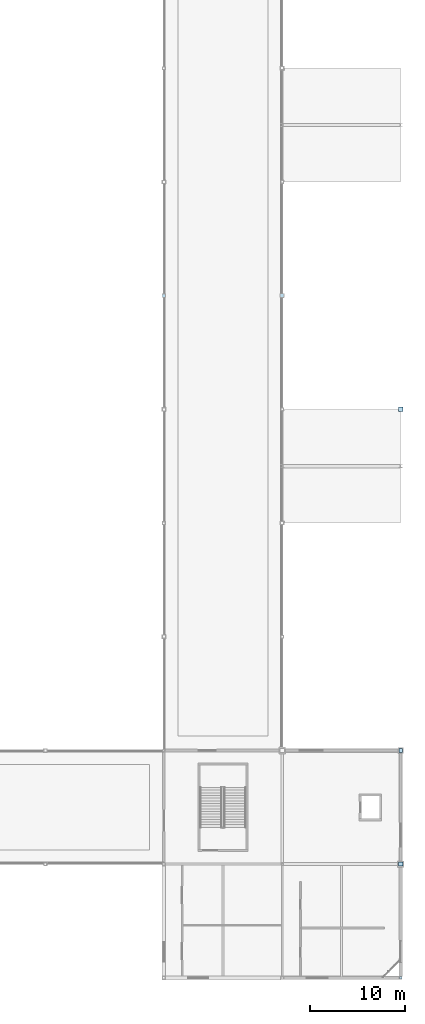
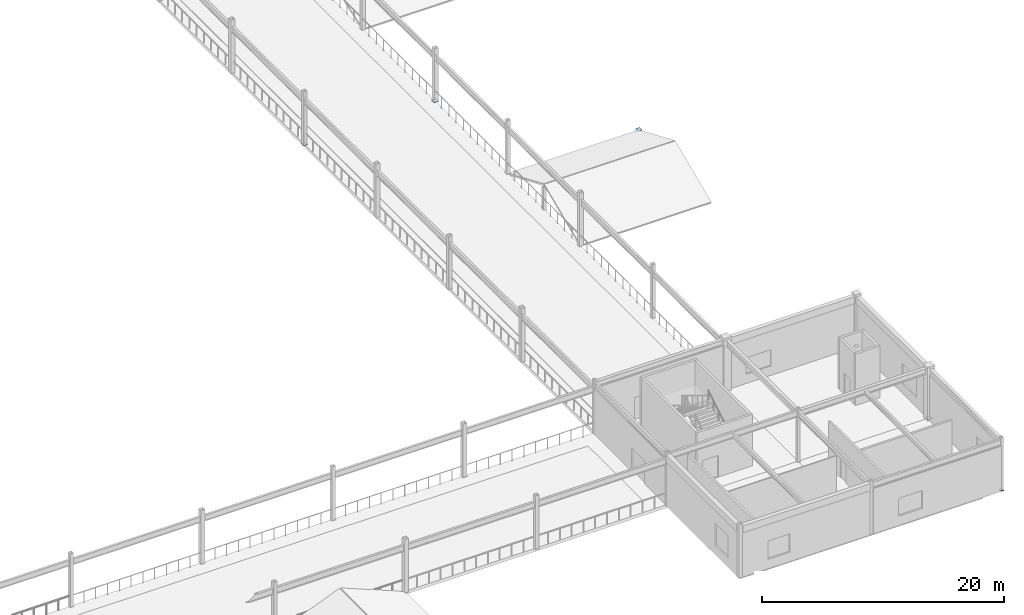
# One storey, part 67 of 105: 6 plates.
"""IFC4 building model written with IfcOpenShell, lengths in metres."""

import ifcopenshell
import ifcopenshell.guid

model = None  # the IFC model being written
_history = None  # IfcOwnerHistory: only IFC2X3 demands one
_inside = {}  # id of a spatial element -> (the spatial element, [elements in it])
_under = {}  # id of a project, library or spatial element -> (it, [spatial elements below it])
_declared = {}  # id of a project -> (the project, [libraries it declares])
_typed = {}  # id of a type object -> (the type object, [elements of that type])
_made_of = {}  # id of a material, layer set ... -> (it, [elements and type objects made of it])


def new_model(schema):
    """Start an empty IFC model of exactly this schema.

    Asked for "IFC4X3", IfcOpenShell would pick the latest addendum, in which some entities
    have other attributes; the version numbers below select the first issue.
    IFC2X3 requires an IfcOwnerHistory on every rooted entity: one is made here for all.
    """
    global model, _history
    if schema == "IFC4X3":
        model = ifcopenshell.file(schema_version=(4, 3, 0, 0))
    else:
        model = ifcopenshell.file(schema=schema)
    _inside.clear()
    _under.clear()
    _declared.clear()
    _typed.clear()
    _made_of.clear()
    _history = None
    if model.schema == "IFC2X3":
        org = make("IfcOrganization", Name="unknown")
        user = make(
            "IfcPersonAndOrganization",
            ThePerson=make("IfcPerson", FamilyName="unknown"),
            TheOrganization=org,
        )
        app = make(
            "IfcApplication",
            ApplicationDeveloper=org,
            Version="unknown",
            ApplicationFullName="unknown",
            ApplicationIdentifier="unknown",
        )
        _history = make(
            "IfcOwnerHistory",
            OwningUser=user,
            OwningApplication=app,
            ChangeAction="ADDED",
            CreationDate=0,
        )
    return model


def make(cls, **values):
    """One entity of the class cls with the attributes given. An attribute that is None is left unset."""
    return model.create_entity(
        cls, **{name: value for name, value in values.items() if value is not None}
    )


def rooted(cls, **values):
    """An entity with a GlobalId (a new one), such as an element, a storey or a relation."""
    return make(cls, GlobalId=ifcopenshell.guid.new(), OwnerHistory=_history, **values)


def si_unit(unit_type, name, prefix=None):
    """IfcSIUnit, for example si_unit("LENGTHUNIT", "METRE", prefix="MILLI")."""
    return make("IfcSIUnit", UnitType=unit_type, Prefix=prefix, Name=name)


def assignment(units):
    """IfcUnitAssignment: the units of a project."""
    return None if units is None else make("IfcUnitAssignment", Units=units)


def point(xyz):
    """IfcCartesianPoint."""
    return None if xyz is None else make("IfcCartesianPoint", Coordinates=xyz)


def direction(xyz):
    """IfcDirection."""
    return None if xyz is None else make("IfcDirection", DirectionRatios=xyz)


def frame(location, z_axis=None, x_axis=None):
    """IfcAxis2Placement3D, a coordinate frame: its origin and axes. An axis left out is left unset."""
    return make(
        "IfcAxis2Placement3D",
        Location=point(location),
        Axis=direction(z_axis),
        RefDirection=direction(x_axis),
    )


def frame_2d(location, x_axis=None):
    """IfcAxis2Placement2D, a coordinate frame in the plane: its origin and x axis."""
    return make(
        "IfcAxis2Placement2D", Location=point(location), RefDirection=direction(x_axis)
    )


def origin():
    """The frame at (0, 0, 0) with its axes left unset."""
    return frame((0.0, 0.0, 0.0))


def origin_2d():
    """The frame at (0, 0) in the plane with its x axis left unset."""
    return frame_2d((0.0, 0.0))


def place(relative_to, where):
    """IfcLocalPlacement: puts the frame where relative to a parent placement (None: the world)."""
    return make(
        "IfcLocalPlacement", PlacementRelTo=relative_to, RelativePlacement=where
    )


def context(
    kind, dimensions, precision=None, world=None, true_north=None, identifier=None
):
    """IfcGeometricRepresentationContext, for example the 3D "Model" context."""
    return make(
        "IfcGeometricRepresentationContext",
        ContextIdentifier=identifier,
        ContextType=kind,
        CoordinateSpaceDimension=dimensions,
        Precision=precision,
        WorldCoordinateSystem=world,
        TrueNorth=true_north,
    )


def subcontext(parent, identifier, kind, view, scale=None):
    """IfcGeometricRepresentationSubContext, for example "Body" below "Model"."""
    return make(
        "IfcGeometricRepresentationSubContext",
        ContextIdentifier=identifier,
        ContextType=kind,
        ParentContext=parent,
        TargetScale=scale,
        TargetView=view,
    )


def project(units=None, contexts=None):
    """IfcProject with its units and contexts."""
    return rooted(
        "IfcProject",
        Name="project",
        RepresentationContexts=contexts,
        UnitsInContext=assignment(units),
    )


def spatial(cls, under=None, at=None, **own):
    """A site, building, storey or space (cls), placed at a placement, below another one or the project."""
    s = rooted(cls, ObjectPlacement=at, **own)
    if under is not None:
        _under.setdefault(under.id(), (under, []))[1].append(s)
    return s


def profile(cls, at=None, kind="AREA", **sizes):
    """A parametric profile (cls). Its sizes go by their IFC names, for example OverallWidth=200.0."""
    return make(cls, ProfileType=kind, Position=at, **sizes)


def rectangle(**sizes):
    """IfcRectangleProfileDef."""
    return profile("IfcRectangleProfileDef", **sizes)


def extrude(swept, where, along, depth):
    """IfcExtrudedAreaSolid: the profile swept, set in the frame where, extruded along a direction by depth."""
    return make(
        "IfcExtrudedAreaSolid",
        SweptArea=swept,
        Position=where,
        ExtrudedDirection=direction(along),
        Depth=depth,
    )


def shape(context_of_items, identifier, shape_type, items):
    """IfcShapeRepresentation: the items that make up one representation, for example the "Body"."""
    return make(
        "IfcShapeRepresentation",
        ContextOfItems=context_of_items,
        RepresentationIdentifier=identifier,
        RepresentationType=shape_type,
        Items=items,
    )


def material(Name=None, Category=None):
    """IfcMaterial."""
    return make("IfcMaterial", Name=Name, Category=Category)


def layer(
    of_material, thickness, ventilated=None, Name=None, Category=None, Priority=None
):
    """IfcMaterialLayer: one layer of a wall or slab, of a material (None: an air gap)."""
    return make(
        "IfcMaterialLayer",
        Material=of_material,
        LayerThickness=thickness,
        IsVentilated=ventilated,
        Name=Name,
        Category=Category,
        Priority=Priority,
    )


def layer_set(layers, Name=None):
    """IfcMaterialLayerSet."""
    return make("IfcMaterialLayerSet", MaterialLayers=layers, LayerSetName=Name)


def made_of(thing, what):
    """Note that an element or type object is made of a material, layer set ...; save() writes the relation."""
    if what is not None:
        _made_of.setdefault(what.id(), (what, []))[1].append(thing)
    return thing


def type_object(cls, material=None, **own):
    """A type object (cls), such as IfcWallType, which elements share."""
    return made_of(rooted(cls, **own), material)


def element(
    cls,
    number,
    at=None,
    inside=None,
    cuts=None,
    type_object=None,
    material=None,
    context=None,
    identifier="Body",
    shape_type=None,
    held_by="IfcProductDefinitionShape",
    body=None,
    shapes=None,
    **own,
):
    """One element of the class cls, such as IfcWall. Its Tag is "e" and its number.

    at: its placement. inside: the storey or other place that contains it. cuts: it is an
    opening in that element (IfcRelVoidsElement). A single representation is given by context,
    identifier, shape_type and body (its items); several are given by shapes. held_by: the class
    of the entity that holds the representations. save() writes the other relations.
    """
    e = rooted(cls, Tag="e%d" % number, ObjectPlacement=at, **own)
    if body is not None:
        shapes = [shape(context, identifier, shape_type, body)]
    if shapes is not None:
        e.Representation = make(held_by, Representations=shapes)
    if inside is not None:
        _inside.setdefault(inside.id(), (inside, []))[1].append(e)
    if cuts is not None:
        rooted(
            "IfcRelVoidsElement", RelatingBuildingElement=cuts, RelatedOpeningElement=e
        )
    if type_object is not None:
        _typed.setdefault(type_object.id(), (type_object, []))[1].append(e)
    return made_of(e, material)


def aggregate(whole, parts):
    """IfcRelAggregates: a whole, such as a stair, and the parts it consists of."""
    return rooted("IfcRelAggregates", RelatingObject=whole, RelatedObjects=parts)


def save(model, path):
    """Write the relations noted so far, then the file.

    IfcRelAggregates (storeys below a building ...), IfcRelContainedInSpatialStructure (elements
    in a storey), IfcRelDefinesByType, IfcRelAssociatesMaterial and IfcRelDeclares: one each for
    every whole, place, type object, material and project.
    """
    for whole, parts in _under.values():
        aggregate(whole, parts)
    for where, things in _inside.values():
        rooted(
            "IfcRelContainedInSpatialStructure",
            RelatedElements=things,
            RelatingStructure=where,
        )
    for kind, things in _typed.values():
        rooted("IfcRelDefinesByType", RelatedObjects=things, RelatingType=kind)
    for what, things in _made_of.values():
        rooted("IfcRelAssociatesMaterial", RelatedObjects=things, RelatingMaterial=what)
    for by, libraries in _declared.values():
        rooted("IfcRelDeclares", RelatingContext=by, RelatedDefinitions=libraries)
    model.write(path)


model = new_model("IFC4")

# Units and contexts
model_context = context("Model", 3, precision=1e-05, world=origin(), true_north=direction((0.0, 1.0)))
body_context = subcontext(model_context, "Body", "Model", "MODEL_VIEW")
ifc_project = project(units=[si_unit("LENGTHUNIT", "METRE"), si_unit("AREAUNIT", "SQUARE_METRE"), si_unit("VOLUMEUNIT", "CUBIC_METRE"), si_unit("PLANEANGLEUNIT", "RADIAN"), si_unit("MASSUNIT", "GRAM", prefix="KILO")], contexts=[model_context])

# Site, building, storey
site_placement = place(None, origin())
site = spatial("IfcSite", under=ifc_project, at=site_placement, CompositionType="ELEMENT")
building_placement = place(site_placement, origin())
building = spatial("IfcBuilding", under=site, at=building_placement, Name="Kazenohara Klinker Stadium", CompositionType="ELEMENT")
storey_placement = place(building_placement, frame((0.0, 0.0, 20.39990234375)))
storey = spatial("IfcBuildingStorey", under=building, at=storey_placement, Name="L04", CompositionType="ELEMENT", Elevation=20.39990234375)

# Plates
ifc_material = material(Name="Steel S355", Category="steel")
ifc_layer_1 = layer(ifc_material, 0.02001953125)
ifc_layer_set_1 = layer_set([ifc_layer_1], Name="Steel S355")
plate_type_1 = type_object("IfcPlateType", Name="PLT-GP01", PredefinedType="USERDEFINED", material=ifc_layer_set_1)
plate_1_placement = place(storey_placement, frame((200.0, 36.0, -0.010009765625), z_axis=(0.0, 0.0, 1.0), x_axis=(1.0, 0.0, 0.0)))
element("IfcPlate", 1, at=plate_1_placement, inside=storey, type_object=plate_type_1, Name="Hollow column end-cap plate GP01 L04 17/D", ObjectType="GUSSET PLATE", PredefinedType="USERDEFINED", context=body_context, shape_type="SweptSolid", body=[
    extrude(rectangle(XDim=0.389892578125, YDim=0.389892578125, at=origin_2d()), origin(), (0.0, 0.0, 1.0), 0.02001953125),
])
ifc_layer_2 = layer(ifc_material, 0.02392578125)
ifc_layer_set_2 = layer_set([ifc_layer_2], Name="Steel S355")
plate_type_2 = type_object("IfcPlateType", Name="PLT-GP03", PredefinedType="USERDEFINED", material=ifc_layer_set_2)
plate_2_placement = place(storey_placement, frame((187.5, 84.0, -0.011962890625), z_axis=(0.0, 0.0, 1.0), x_axis=(1.0, 0.0, 0.0)))
element("IfcPlate", 2, at=plate_2_placement, inside=storey, type_object=plate_type_2, Name="Hollow column end-cap plate GP03 L04 16/H", ObjectType="GUSSET PLATE", PredefinedType="USERDEFINED", context=body_context, shape_type="SweptSolid", body=[
    extrude(rectangle(XDim=0.43994140625, YDim=0.43994140625, at=origin_2d()), origin(), (0.0, 0.0, 1.0), 0.02392578125),
])
plate_3_placement = place(storey_placement, frame((200.0, 12.0, -0.011962890625), z_axis=(0.0, 0.0, 1.0), x_axis=(1.0, 0.0, 0.0)))
element("IfcPlate", 3, at=plate_3_placement, inside=storey, type_object=plate_type_2, Name="Hollow column end-cap plate GP03 L04 17/B", ObjectType="GUSSET PLATE", PredefinedType="USERDEFINED", context=body_context, shape_type="SweptSolid", body=[
    extrude(rectangle(XDim=0.2900390625, YDim=0.2900390625, at=origin_2d()), origin(), (0.0, 0.0, 1.0), 0.02392578125),
])
for number, where, z_axis, x_axis, name in (
    (4, (200.0, 24.0, -0.011962890625), (0.0, 0.0, 1.0), (1.0, 0.0, 0.0), "Hollow column end-cap plate GP03 L04 17/C"),
    (5, (200.0, 72.0, -0.011962890625), (0.0, 0.0, 1.0), (1.0, 0.0, 0.0), "Hollow column end-cap plate GP03 L04 17/G"),
):
    element("IfcPlate", number, at=place(storey_placement, frame(where, z_axis=z_axis, x_axis=x_axis)), inside=storey, type_object=plate_type_2, Name=name, ObjectType="GUSSET PLATE", PredefinedType="USERDEFINED", context=body_context, shape_type="SweptSolid", body=[
        extrude(rectangle(XDim=0.43994140625, YDim=0.43994140625, at=origin_2d()), origin(), (0.0, 0.0, 1.0), 0.02392578125),
    ])
ifc_layer_3 = layer(ifc_material, 0.02490234375)
ifc_layer_set_3 = layer_set([ifc_layer_3], Name="Steel S355")
plate_type_3 = type_object("IfcPlateType", Name="PLT-GP04", PredefinedType="USERDEFINED", material=ifc_layer_set_3)
plate_4_placement = place(storey_placement, frame((175.0, 84.0, -0.012451171875), z_axis=(0.0, 0.0, 1.0), x_axis=(1.0, 0.0, 0.0)))
element("IfcPlate", 6, at=plate_4_placement, inside=storey, type_object=plate_type_3, Name="Hollow column end-cap plate GP04 L04 15/H", ObjectType="GUSSET PLATE", PredefinedType="USERDEFINED", context=body_context, shape_type="SweptSolid", body=[
    extrude(rectangle(XDim=0.389892578125, YDim=0.389892578125, at=origin_2d()), origin(), (0.0, 0.0, 1.0), 0.02490234375),
])

save(model, "model.ifc")
